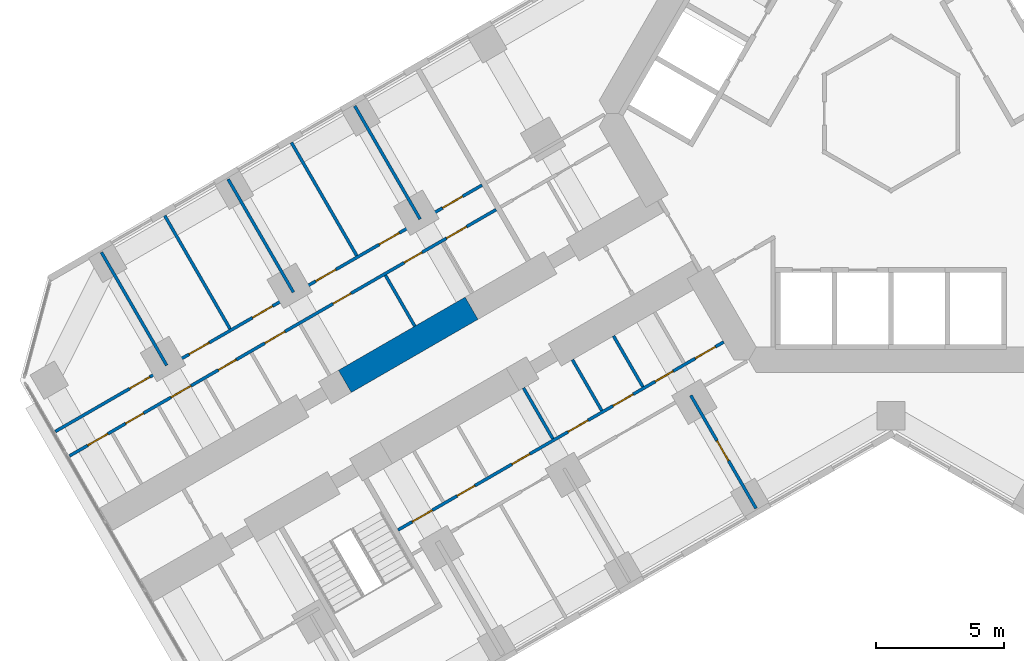
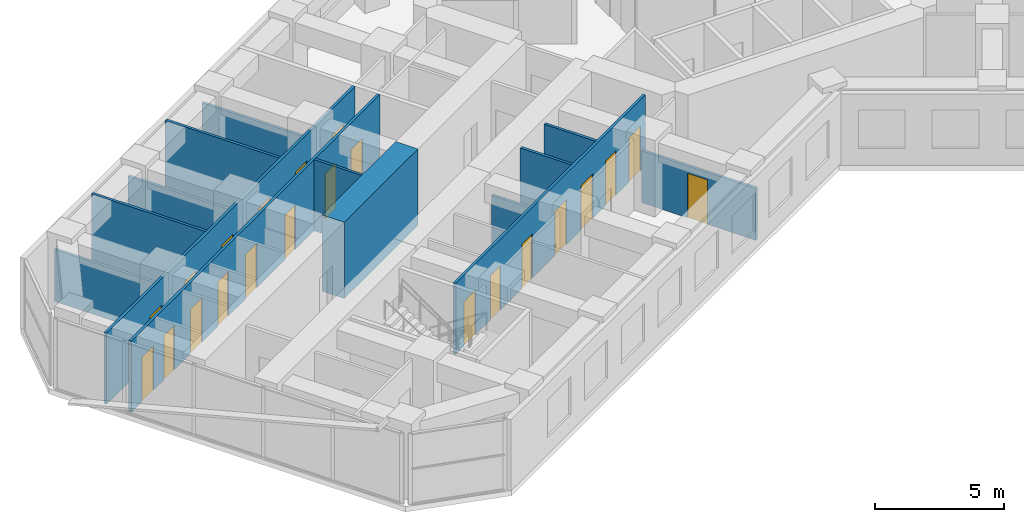
# One storey, part 11 of 21: 22 doors, 14 walls, 22 openings.
"""IFC4 building model written with IfcOpenShell, lengths in metres."""

from ifc_helpers import new_model, si_unit, direction, frame, frame_2d, origin, place, context, subcontext, project, spatial, rectangle, extrude, material, layer, layer_set, type_object, element, fill, save


model = new_model("IFC4")

# Units and contexts
model_context = context("Model", 3, precision=1e-05, world=origin(), true_north=direction((0.0, 1.0)))
body_context = subcontext(model_context, "Body", "Model", "MODEL_VIEW")
ifc_project = project(units=[si_unit("LENGTHUNIT", "METRE"), si_unit("AREAUNIT", "SQUARE_METRE"), si_unit("VOLUMEUNIT", "CUBIC_METRE"), si_unit("PLANEANGLEUNIT", "RADIAN"), si_unit("MASSUNIT", "GRAM", prefix="KILO")], contexts=[model_context])

# Site, building, storey
site_placement = place(None, origin())
site = spatial("IfcSite", under=ifc_project, at=site_placement, CompositionType="ELEMENT")
building_placement = place(site_placement, origin())
building = spatial("IfcBuilding", under=site, at=building_placement, Name="Kosmar Iwan School Tower", CompositionType="ELEMENT")
storey_placement = place(building_placement, frame((0.0, 0.0, 39.39990234375)))
storey = spatial("IfcBuildingStorey", under=building, at=storey_placement, Name="L08", CompositionType="ELEMENT", Elevation=39.39990234375)

# Wall
ifc_material_1 = material(Name="Concrete C50/60", Category="concrete")
ifc_layer_1 = layer(ifc_material_1, 1.0)
ifc_layer_set_1 = layer_set([ifc_layer_1], Name="Corridor buttress wall 1000")
wall_type_1 = type_object("IfcWallType", Name="Corridor buttress wall 1000", PredefinedType="SHEAR", material=ifc_layer_set_1)
wall_1_placement = place(storey_placement, frame((-16.34521484375, -7.58935546875, 0.0), z_axis=(0.0, 0.0, 1.0), x_axis=(-0.866015111908, -0.50001782563, 0.0)))
element("IfcWall", 1, at=wall_1_placement, inside=storey, type_object=wall_type_1, Name="Corridor wall BR bay 2", PredefinedType="SHEAR", context=body_context, shape_type="SweptSolid", body=[
    extrude(rectangle(XDim=5.699951171875, YDim=1.0, at=frame_2d((2.85009765625, 0.0))), origin(), (0.0, 0.0, 1.0), 3.60009765625),
])

# Wall, openings, doors
ifc_material_2 = material(Name="Gypsum board on steel studs", Category="steel")
ifc_layer_2 = layer(ifc_material_2, 0.1201171875)
ifc_layer_set_2 = layer_set([ifc_layer_2], Name="Dwelling partition 120")
wall_type_2 = type_object("IfcWallType", Name="Dwelling partition 120", PredefinedType="PARTITIONING", material=ifc_layer_set_2)
wall_2_placement = place(storey_placement, frame((-6.521728515625, -8.90380859375, 0.0), z_axis=(0.0, 0.0, 1.0), x_axis=(-0.866030734856, -0.4999907662, 0.0)))
wall_2 = element("IfcWall", 2, at=wall_2_placement, inside=storey, type_object=wall_type_2, Name="Partition L08-BL1-W1", PredefinedType="PARTITIONING", context=body_context, shape_type="SweptSolid", body=[
    extrude(rectangle(XDim=14.650146484375, YDim=0.1201171875, at=frame_2d((7.3251953125, 0.0))), origin(), (0.0, 0.0, 1.0), 3.35009765625),
])
opening_1_placement = place(wall_2_placement, frame((0.375, 0.0, 0.0)))
opening_1 = element("IfcOpeningElement", 3, at=opening_1_placement, cuts=wall_2, Name="Opening D2", PredefinedType="OPENING", context=body_context, shape_type="SweptSolid", body=[
    extrude(rectangle(XDim=0.89990234375, YDim=2.10009765625, at=frame_2d((0.449951171875, 1.050048828125))), frame((0.0, 0.072021484375, 0.0), z_axis=(0.0, -1.0, 0.0), x_axis=(1.0, 0.0, 0.0)), (0.0, 0.0, 1.0), 0.14404296875),
])
opening_2_placement = place(wall_2_placement, frame((2.27490234375, 0.0, 0.0)))
opening_2 = element("IfcOpeningElement", 4, at=opening_2_placement, cuts=wall_2, Name="Opening D3", PredefinedType="OPENING", context=body_context, shape_type="SweptSolid", body=[
    extrude(rectangle(XDim=0.800048828125, YDim=2.10009765625, at=frame_2d((0.39990234375, 1.050048828125))), frame((0.0, 0.072021484375, 0.0), z_axis=(0.0, -1.0, 0.0), x_axis=(1.0, 0.0, 0.0)), (0.0, 0.0, 1.0), 0.14404296875),
])
opening_3_placement = place(wall_2_placement, frame((4.074951171875, 0.0, 0.0)))
opening_3 = element("IfcOpeningElement", 5, at=opening_3_placement, cuts=wall_2, Name="Opening D2", PredefinedType="OPENING", context=body_context, shape_type="SweptSolid", body=[
    extrude(rectangle(XDim=0.89990234375, YDim=2.10009765625, at=frame_2d((0.449951171875, 1.050048828125))), frame((0.0, 0.072021484375, 0.0), z_axis=(0.0, -1.0, 0.0), x_axis=(1.0, 0.0, 0.0)), (0.0, 0.0, 1.0), 0.14404296875),
])
opening_4_placement = place(wall_2_placement, frame((6.10009765625, 0.0, 0.0)))
opening_4 = element("IfcOpeningElement", 6, at=opening_4_placement, cuts=wall_2, Name="Opening D2", PredefinedType="OPENING", context=body_context, shape_type="SweptSolid", body=[
    extrude(rectangle(XDim=0.89990234375, YDim=2.10009765625, at=frame_2d((0.449951171875, 1.050048828125))), frame((0.0, 0.072021484375, 0.0), z_axis=(0.0, -1.0, 0.0), x_axis=(1.0, 0.0, 0.0)), (0.0, 0.0, 1.0), 0.14404296875),
])
opening_5_placement = place(wall_2_placement, frame((8.728515625, 0.0, 0.0)))
opening_5 = element("IfcOpeningElement", 7, at=opening_5_placement, cuts=wall_2, Name="Opening D3", PredefinedType="OPENING", context=body_context, shape_type="SweptSolid", body=[
    extrude(rectangle(XDim=0.800048828125, YDim=2.10009765625, at=frame_2d((0.39990234375, 1.050048828125))), frame((0.0, 0.072021484375, 0.0), z_axis=(0.0, -1.0, 0.0), x_axis=(1.0, 0.0, 0.0)), (0.0, 0.0, 1.0), 0.14404296875),
])
opening_6_placement = place(wall_2_placement, frame((11.19287109375, 0.0, 0.0)))
opening_6 = element("IfcOpeningElement", 8, at=opening_6_placement, cuts=wall_2, Name="Opening D3", PredefinedType="OPENING", context=body_context, shape_type="SweptSolid", body=[
    extrude(rectangle(XDim=0.800048828125, YDim=2.10009765625, at=frame_2d((0.39990234375, 1.050048828125))), frame((0.0, 0.072021484375, 0.0), z_axis=(0.0, -1.0, 0.0), x_axis=(1.0, 0.0, 0.0)), (0.0, 0.0, 1.0), 0.14404296875),
])
opening_7_placement = place(wall_2_placement, frame((13.1142578125, 0.0, 0.0)))
opening_7 = element("IfcOpeningElement", 9, at=opening_7_placement, cuts=wall_2, Name="Opening D2", PredefinedType="OPENING", context=body_context, shape_type="SweptSolid", body=[
    extrude(rectangle(XDim=0.89990234375, YDim=2.10009765625, at=frame_2d((0.449951171875, 1.050048828125))), frame((0.0, 0.072021484375, 0.0), z_axis=(0.0, -1.0, 0.0), x_axis=(1.0, 0.0, 0.0)), (0.0, 0.0, 1.0), 0.14404296875),
])
ifc_material_3 = material(Name="Timber door in timber frame", Category="wood")
door_type_1 = type_object("IfcDoorType", Name="Internal door 900x2100", OperationType="SINGLE_SWING_LEFT", PredefinedType="DOOR", material=ifc_material_3)
door_1_placement = place(opening_1_placement, origin())
door_1 = element("IfcDoor", 10, at=door_1_placement, inside=storey, type_object=door_type_1, Name="Dressing room door L08-BL1-S1", OperationType="SINGLE_SWING_LEFT", OverallHeight=2.10009765625, OverallWidth=0.89990234375, PredefinedType="DOOR", context=body_context, shape_type="SweptSolid", body=[
    extrude(rectangle(XDim=0.89990234375, YDim=2.10009765625, at=frame_2d((0.449951171875, 1.050048828125))), frame((0.0, 0.02490234375, 0.0), z_axis=(0.0, -1.0, 0.0), x_axis=(1.0, 0.0, 0.0)), (0.0, 0.0, 1.0), 0.050048828125),
])
fill(opening_1, door_1)
door_2_placement = place(opening_3_placement, origin())
door_2 = element("IfcDoor", 11, at=door_2_placement, inside=storey, type_object=door_type_1, Name="Pantry door L08-BL1-S3", OperationType="SINGLE_SWING_LEFT", OverallHeight=2.10009765625, OverallWidth=0.89990234375, PredefinedType="DOOR", context=body_context, shape_type="SweptSolid", body=[
    extrude(rectangle(XDim=0.89990234375, YDim=2.10009765625, at=frame_2d((0.449951171875, 1.050048828125))), frame((0.0, 0.02490234375, 0.0), z_axis=(0.0, -1.0, 0.0), x_axis=(1.0, 0.0, 0.0)), (0.0, 0.0, 1.0), 0.050048828125),
])
fill(opening_3, door_2)
door_3_placement = place(opening_4_placement, origin())
door_3 = element("IfcDoor", 12, at=door_3_placement, inside=storey, type_object=door_type_1, Name="Entrance hall door L08-BL1-S4", OperationType="SINGLE_SWING_LEFT", OverallHeight=2.10009765625, OverallWidth=0.89990234375, PredefinedType="DOOR", context=body_context, shape_type="SweptSolid", body=[
    extrude(rectangle(XDim=0.89990234375, YDim=2.10009765625, at=frame_2d((0.449951171875, 1.050048828125))), frame((0.0, 0.02490234375, 0.0), z_axis=(0.0, -1.0, 0.0), x_axis=(1.0, 0.0, 0.0)), (0.0, 0.0, 1.0), 0.050048828125),
])
fill(opening_4, door_3)
door_4_placement = place(opening_7_placement, frame((0.89990234375, 0.0, 0.0), z_axis=(0.0, 0.0, 1.0), x_axis=(-1.0, 0.0, 0.0)))
door_4 = element("IfcDoor", 13, at=door_4_placement, inside=storey, type_object=door_type_1, Name="Utility room door L08-BL1-S7", OperationType="SINGLE_SWING_LEFT", OverallHeight=2.10009765625, OverallWidth=0.89990234375, PredefinedType="DOOR", context=body_context, shape_type="SweptSolid", body=[
    extrude(rectangle(XDim=0.89990234375, YDim=2.10009765625, at=frame_2d((0.449951171875, 1.050048828125))), frame((0.0, 0.02490234375, 0.0), z_axis=(0.0, -1.0, 0.0), x_axis=(1.0, 0.0, 0.0)), (0.0, 0.0, 1.0), 0.050048828125),
])
fill(opening_7, door_4)
ifc_material_4 = material(Name="Timber door in timber frame", Category="wood")
door_type_2 = type_object("IfcDoorType", Name="Sanitary room door 800x2100", OperationType="SINGLE_SWING_LEFT", PredefinedType="DOOR", material=ifc_material_4)
door_5_placement = place(opening_2_placement, origin())
door_5 = element("IfcDoor", 14, at=door_5_placement, inside=storey, type_object=door_type_2, Name="Store door L08-BL1-S2", OperationType="SINGLE_SWING_RIGHT", OverallHeight=2.10009765625, OverallWidth=0.800048828125, PredefinedType="DOOR", context=body_context, shape_type="SweptSolid", body=[
    extrude(rectangle(XDim=0.800048828125, YDim=2.10009765625, at=frame_2d((0.39990234375, 1.050048828125))), frame((0.0, 0.02490234375, 0.0), z_axis=(0.0, -1.0, 0.0), x_axis=(1.0, 0.0, 0.0)), (0.0, 0.0, 1.0), 0.050048828125),
])
fill(opening_2, door_5)
door_6_placement = place(opening_5_placement, origin())
door_6 = element("IfcDoor", 15, at=door_6_placement, inside=storey, type_object=door_type_2, Name="Bathroom door L08-BL1-S5", OperationType="SINGLE_SWING_RIGHT", OverallHeight=2.10009765625, OverallWidth=0.800048828125, PredefinedType="DOOR", context=body_context, shape_type="SweptSolid", body=[
    extrude(rectangle(XDim=0.800048828125, YDim=2.10009765625, at=frame_2d((0.39990234375, 1.050048828125))), frame((0.0, 0.02490234375, 0.0), z_axis=(0.0, -1.0, 0.0), x_axis=(1.0, 0.0, 0.0)), (0.0, 0.0, 1.0), 0.050048828125),
])
fill(opening_5, door_6)
door_7_placement = place(opening_6_placement, origin())
door_7 = element("IfcDoor", 16, at=door_7_placement, inside=storey, type_object=door_type_2, Name="WC door L08-BL1-S6", OperationType="SINGLE_SWING_RIGHT", OverallHeight=2.10009765625, OverallWidth=0.800048828125, PredefinedType="DOOR", context=body_context, shape_type="SweptSolid", body=[
    extrude(rectangle(XDim=0.800048828125, YDim=2.10009765625, at=frame_2d((0.39990234375, 1.050048828125))), frame((0.0, 0.02490234375, 0.0), z_axis=(0.0, -1.0, 0.0), x_axis=(1.0, 0.0, 0.0)), (0.0, 0.0, 1.0), 0.050048828125),
])
fill(opening_6, door_7)

# Wall, opening, door
wall_3_placement = place(storey_placement, frame((-7.8037109375, -10.9833984375, 0.0), z_axis=(0.0, 0.0, 1.0), x_axis=(0.499997873537, -0.866026631495, 0.0)))
wall_3 = element("IfcWall", 17, at=wall_3_placement, inside=storey, type_object=wall_type_2, Name="Partition L08-BL1-X1", PredefinedType="PARTITIONING", context=body_context, shape_type="SweptSolid", body=[
    extrude(rectangle(XDim=5.08984375, YDim=0.1201171875, at=frame_2d((2.544921875, 0.0))), origin(), (0.0, 0.0, 1.0), 2.4501953125),
])
opening_8_placement = place(wall_3_placement, frame((2.0400390625, 0.0, 0.0)))
opening_8 = element("IfcOpeningElement", 18, at=opening_8_placement, cuts=wall_3, Name="Opening D2", PredefinedType="OPENING", context=body_context, shape_type="SweptSolid", body=[
    extrude(rectangle(XDim=0.89990234375, YDim=2.10009765625, at=frame_2d((0.449951171875, 1.050048828125))), frame((0.0, 0.072021484375, 0.0), z_axis=(0.0, -1.0, 0.0), x_axis=(1.0, 0.0, 0.0)), (0.0, 0.0, 1.0), 0.14404296875),
])
door_8_placement = place(opening_8_placement, origin())
door_8 = element("IfcDoor", 19, at=door_8_placement, inside=storey, type_object=door_type_1, Name="Kitchen and dining room door L08-BL1-F1", OperationType="SINGLE_SWING_LEFT", OverallHeight=2.10009765625, OverallWidth=0.89990234375, PredefinedType="DOOR", context=body_context, shape_type="SweptSolid", body=[
    extrude(rectangle(XDim=0.89990234375, YDim=2.10009765625, at=frame_2d((0.449951171875, 1.050048828125))), frame((0.0, 0.02490234375, 0.0), z_axis=(0.0, -1.0, 0.0), x_axis=(1.0, 0.0, 0.0)), (0.0, 0.0, 1.0), 0.050048828125),
])
fill(opening_8, door_8)

# Walls
for number, where, z_axis, x_axis, name in (
    (20, (-10.814453125, -8.668701171875, 0.0), (0.0, 0.0, 1.0), (0.500014693593, -0.866016920268, 0.0), "Partition L08-BL1-Y2"),
    (21, (-12.416748046875, -9.59375, 0.0), (0.0, 0.0, 1.0), (0.500014693593, -0.866016920268, 0.0), "Partition L08-BL1-Y3"),
):
    element("IfcWall", number, at=place(storey_placement, frame(where, z_axis=z_axis, x_axis=x_axis)), inside=storey, type_object=wall_type_2, Name=name, PredefinedType="PARTITIONING", context=body_context, shape_type="SweptSolid", body=[
        extrude(rectangle(XDim=2.2900390625, YDim=0.1201171875, at=frame_2d((1.14501953125, 0.0))), origin(), (0.0, 0.0, 1.0), 3.35009765625),
    ])
wall_4_placement = place(storey_placement, frame((-14.322021484375, -10.693603515625, 0.0), z_axis=(0.0, 0.0, 1.0), x_axis=(0.500014693593, -0.866016920268, 0.0)))
element("IfcWall", 22, at=wall_4_placement, inside=storey, type_object=wall_type_2, Name="Partition L08-BL1-Y4", PredefinedType="PARTITIONING", context=body_context, shape_type="SweptSolid", body=[
    extrude(rectangle(XDim=2.2900390625, YDim=0.1201171875, at=frame_2d((1.14501953125, 0.0))), origin(), (0.0, 0.0, 1.0), 2.4501953125),
])

# Wall, openings, doors
wall_5_placement = place(storey_placement, frame((-15.388671875, -3.74609375, 0.0), z_axis=(0.0, 0.0, 1.0), x_axis=(-0.866021011428, -0.500007607708, 0.0)))
wall_5 = element("IfcWall", 23, at=wall_5_placement, inside=storey, type_object=wall_type_2, Name="Partition L08-BR2-W1", PredefinedType="PARTITIONING", context=body_context, shape_type="SweptSolid", body=[
    extrude(rectangle(XDim=19.195068359375, YDim=0.1201171875, at=frame_2d((9.59765625, 0.0))), origin(), (0.0, 0.0, 1.0), 3.35009765625),
])
opening_9_placement = place(wall_5_placement, frame((1.32861328125, 0.0, 0.0)))
opening_9 = element("IfcOpeningElement", 24, at=opening_9_placement, cuts=wall_5, Name="Opening D2", PredefinedType="OPENING", context=body_context, shape_type="SweptSolid", body=[
    extrude(rectangle(XDim=0.89990234375, YDim=2.10009765625, at=frame_2d((0.449951171875, 1.050048828125))), frame((0.0, 0.072021484375, 0.0), z_axis=(0.0, -1.0, 0.0), x_axis=(1.0, 0.0, 0.0)), (0.0, 0.0, 1.0), 0.14404296875),
])
opening_10_placement = place(wall_5_placement, frame((3.335693359375, 0.0, 0.0)))
opening_10 = element("IfcOpeningElement", 25, at=opening_10_placement, cuts=wall_5, Name="Opening D3", PredefinedType="OPENING", context=body_context, shape_type="SweptSolid", body=[
    extrude(rectangle(XDim=0.800048828125, YDim=2.10009765625, at=frame_2d((0.39990234375, 1.050048828125))), frame((0.0, 0.072021484375, 0.0), z_axis=(0.0, -1.0, 0.0), x_axis=(1.0, 0.0, 0.0)), (0.0, 0.0, 1.0), 0.14404296875),
])
opening_11_placement = place(wall_5_placement, frame((6.5322265625, 0.0, 0.0)))
opening_11 = element("IfcOpeningElement", 26, at=opening_11_placement, cuts=wall_5, Name="Opening D3", PredefinedType="OPENING", context=body_context, shape_type="SweptSolid", body=[
    extrude(rectangle(XDim=0.800048828125, YDim=2.10009765625, at=frame_2d((0.39990234375, 1.050048828125))), frame((0.0, 0.072021484375, 0.0), z_axis=(0.0, -1.0, 0.0), x_axis=(1.0, 0.0, 0.0)), (0.0, 0.0, 1.0), 0.14404296875),
])
opening_12_placement = place(wall_5_placement, frame((9.5, 0.0, 0.0)))
opening_12 = element("IfcOpeningElement", 27, at=opening_12_placement, cuts=wall_5, Name="Opening D2", PredefinedType="OPENING", context=body_context, shape_type="SweptSolid", body=[
    extrude(rectangle(XDim=0.89990234375, YDim=2.10009765625, at=frame_2d((0.449951171875, 1.050048828125))), frame((0.0, 0.072021484375, 0.0), z_axis=(0.0, -1.0, 0.0), x_axis=(1.0, 0.0, 0.0)), (0.0, 0.0, 1.0), 0.14404296875),
])
opening_13_placement = place(wall_5_placement, frame((11.69384765625, 0.0, 0.0)))
opening_13 = element("IfcOpeningElement", 28, at=opening_13_placement, cuts=wall_5, Name="Opening D3", PredefinedType="OPENING", context=body_context, shape_type="SweptSolid", body=[
    extrude(rectangle(XDim=0.800048828125, YDim=2.10009765625, at=frame_2d((0.39990234375, 1.050048828125))), frame((0.0, 0.072021484375, 0.0), z_axis=(0.0, -1.0, 0.0), x_axis=(1.0, 0.0, 0.0)), (0.0, 0.0, 1.0), 0.14404296875),
])
opening_14_placement = place(wall_5_placement, frame((13.731201171875, 0.0, 0.0)))
opening_14 = element("IfcOpeningElement", 29, at=opening_14_placement, cuts=wall_5, Name="Opening D2", PredefinedType="OPENING", context=body_context, shape_type="SweptSolid", body=[
    extrude(rectangle(XDim=0.89990234375, YDim=2.10009765625, at=frame_2d((0.449951171875, 1.050048828125))), frame((0.0, 0.072021484375, 0.0), z_axis=(0.0, -1.0, 0.0), x_axis=(1.0, 0.0, 0.0)), (0.0, 0.0, 1.0), 0.14404296875),
])
opening_15_placement = place(wall_5_placement, frame((15.86865234375, 0.0, 0.0)))
opening_15 = element("IfcOpeningElement", 30, at=opening_15_placement, cuts=wall_5, Name="Opening D3", PredefinedType="OPENING", context=body_context, shape_type="SweptSolid", body=[
    extrude(rectangle(XDim=0.800048828125, YDim=2.10009765625, at=frame_2d((0.39990234375, 1.050048828125))), frame((0.0, 0.072021484375, 0.0), z_axis=(0.0, -1.0, 0.0), x_axis=(1.0, 0.0, 0.0)), (0.0, 0.0, 1.0), 0.14404296875),
])
opening_16_placement = place(wall_5_placement, frame((17.472412109375, 0.0, 0.0)))
opening_16 = element("IfcOpeningElement", 31, at=opening_16_placement, cuts=wall_5, Name="Opening D2", PredefinedType="OPENING", context=body_context, shape_type="SweptSolid", body=[
    extrude(rectangle(XDim=0.89990234375, YDim=2.10009765625, at=frame_2d((0.449951171875, 1.050048828125))), frame((0.0, 0.072021484375, 0.0), z_axis=(0.0, -1.0, 0.0), x_axis=(1.0, 0.0, 0.0)), (0.0, 0.0, 1.0), 0.14404296875),
])
door_9_placement = place(opening_9_placement, origin())
door_9 = element("IfcDoor", 32, at=door_9_placement, inside=storey, type_object=door_type_1, Name="Utility room door L08-BR2-S1", OperationType="SINGLE_SWING_RIGHT", OverallHeight=2.10009765625, OverallWidth=0.89990234375, PredefinedType="DOOR", context=body_context, shape_type="SweptSolid", body=[
    extrude(rectangle(XDim=0.89990234375, YDim=2.10009765625, at=frame_2d((0.449951171875, 1.050048828125))), frame((0.0, 0.02490234375, 0.0), z_axis=(0.0, -1.0, 0.0), x_axis=(1.0, 0.0, 0.0)), (0.0, 0.0, 1.0), 0.050048828125),
])
fill(opening_9, door_9)
door_10_placement = place(opening_12_placement, origin())
door_10 = element("IfcDoor", 33, at=door_10_placement, inside=storey, type_object=door_type_1, Name="Entrance hall door L08-BR2-S4", OperationType="SINGLE_SWING_LEFT", OverallHeight=2.10009765625, OverallWidth=0.89990234375, PredefinedType="DOOR", context=body_context, shape_type="SweptSolid", body=[
    extrude(rectangle(XDim=0.89990234375, YDim=2.10009765625, at=frame_2d((0.449951171875, 1.050048828125))), frame((0.0, 0.02490234375, 0.0), z_axis=(0.0, -1.0, 0.0), x_axis=(1.0, 0.0, 0.0)), (0.0, 0.0, 1.0), 0.050048828125),
])
fill(opening_12, door_10)
door_11_placement = place(opening_14_placement, origin())
door_11 = element("IfcDoor", 34, at=door_11_placement, inside=storey, type_object=door_type_1, Name="Pantry door L08-BR2-S6", OperationType="SINGLE_SWING_LEFT", OverallHeight=2.10009765625, OverallWidth=0.89990234375, PredefinedType="DOOR", context=body_context, shape_type="SweptSolid", body=[
    extrude(rectangle(XDim=0.89990234375, YDim=2.10009765625, at=frame_2d((0.449951171875, 1.050048828125))), frame((0.0, 0.02490234375, 0.0), z_axis=(0.0, -1.0, 0.0), x_axis=(1.0, 0.0, 0.0)), (0.0, 0.0, 1.0), 0.050048828125),
])
fill(opening_14, door_11)
door_12_placement = place(opening_16_placement, origin())
door_12 = element("IfcDoor", 35, at=door_12_placement, inside=storey, type_object=door_type_1, Name="Dressing room door L08-BR2-S8", OperationType="SINGLE_SWING_LEFT", OverallHeight=2.10009765625, OverallWidth=0.89990234375, PredefinedType="DOOR", context=body_context, shape_type="SweptSolid", body=[
    extrude(rectangle(XDim=0.89990234375, YDim=2.10009765625, at=frame_2d((0.449951171875, 1.050048828125))), frame((0.0, 0.02490234375, 0.0), z_axis=(0.0, -1.0, 0.0), x_axis=(1.0, 0.0, 0.0)), (0.0, 0.0, 1.0), 0.050048828125),
])
fill(opening_16, door_12)
door_13_placement = place(opening_10_placement, origin())
door_13 = element("IfcDoor", 36, at=door_13_placement, inside=storey, type_object=door_type_2, Name="WC door L08-BR2-S2", OperationType="SINGLE_SWING_LEFT", OverallHeight=2.10009765625, OverallWidth=0.800048828125, PredefinedType="DOOR", context=body_context, shape_type="SweptSolid", body=[
    extrude(rectangle(XDim=0.800048828125, YDim=2.10009765625, at=frame_2d((0.39990234375, 1.050048828125))), frame((0.0, 0.02490234375, 0.0), z_axis=(0.0, -1.0, 0.0), x_axis=(1.0, 0.0, 0.0)), (0.0, 0.0, 1.0), 0.050048828125),
])
fill(opening_10, door_13)
door_14_placement = place(opening_11_placement, origin())
door_14 = element("IfcDoor", 37, at=door_14_placement, inside=storey, type_object=door_type_2, Name="Bathroom door L08-BR2-S3", OperationType="SINGLE_SWING_RIGHT", OverallHeight=2.10009765625, OverallWidth=0.800048828125, PredefinedType="DOOR", context=body_context, shape_type="SweptSolid", body=[
    extrude(rectangle(XDim=0.800048828125, YDim=2.10009765625, at=frame_2d((0.39990234375, 1.050048828125))), frame((0.0, 0.02490234375, 0.0), z_axis=(0.0, -1.0, 0.0), x_axis=(1.0, 0.0, 0.0)), (0.0, 0.0, 1.0), 0.050048828125),
])
fill(opening_11, door_14)
door_15_placement = place(opening_13_placement, origin())
door_15 = element("IfcDoor", 38, at=door_15_placement, inside=storey, type_object=door_type_2, Name="Shower room door L08-BR2-S5", OperationType="SINGLE_SWING_RIGHT", OverallHeight=2.10009765625, OverallWidth=0.800048828125, PredefinedType="DOOR", context=body_context, shape_type="SweptSolid", body=[
    extrude(rectangle(XDim=0.800048828125, YDim=2.10009765625, at=frame_2d((0.39990234375, 1.050048828125))), frame((0.0, 0.02490234375, 0.0), z_axis=(0.0, -1.0, 0.0), x_axis=(1.0, 0.0, 0.0)), (0.0, 0.0, 1.0), 0.050048828125),
])
fill(opening_13, door_15)
door_16_placement = place(opening_15_placement, origin())
door_16 = element("IfcDoor", 39, at=door_16_placement, inside=storey, type_object=door_type_2, Name="Store door L08-BR2-S7", OperationType="SINGLE_SWING_RIGHT", OverallHeight=2.10009765625, OverallWidth=0.800048828125, PredefinedType="DOOR", context=body_context, shape_type="SweptSolid", body=[
    extrude(rectangle(XDim=0.800048828125, YDim=2.10009765625, at=frame_2d((0.39990234375, 1.050048828125))), frame((0.0, 0.02490234375, 0.0), z_axis=(0.0, -1.0, 0.0), x_axis=(1.0, 0.0, 0.0)), (0.0, 0.0, 1.0), 0.050048828125),
])
fill(opening_15, door_16)

wall_6_placement = place(storey_placement, frame((-15.9384765625, -2.79345703125, 0.0), z_axis=(0.0, 0.0, 1.0), x_axis=(-0.866024191211, -0.500002100233, 0.0)))
wall_6 = element("IfcWall", 40, at=wall_6_placement, inside=storey, type_object=wall_type_2, Name="Partition L08-BR2-W2", PredefinedType="PARTITIONING", context=body_context, shape_type="SweptSolid", body=[
    extrude(rectangle(XDim=19.1953125, YDim=0.1201171875, at=frame_2d((9.59765625, 0.0))), origin(), (0.0, 0.0, 1.0), 3.35009765625),
])
opening_17_placement = place(wall_6_placement, frame((0.875, 0.0, 0.0)))
opening_17 = element("IfcOpeningElement", 41, at=opening_17_placement, cuts=wall_6, Name="Opening D2", PredefinedType="OPENING", context=body_context, shape_type="SweptSolid", body=[
    extrude(rectangle(XDim=0.89990234375, YDim=2.10009765625, at=frame_2d((0.449951171875, 1.050048828125))), frame((0.0, 0.072021484375, 0.0), z_axis=(0.0, -1.0, 0.0), x_axis=(1.0, 0.0, 0.0)), (0.0, 0.0, 1.0), 0.14404296875),
])
opening_18_placement = place(wall_6_placement, frame((3.72509765625, 0.0, 0.0)))
opening_18 = element("IfcOpeningElement", 42, at=opening_18_placement, cuts=wall_6, Name="Opening D2", PredefinedType="OPENING", context=body_context, shape_type="SweptSolid", body=[
    extrude(rectangle(XDim=0.89990234375, YDim=2.10009765625, at=frame_2d((0.449951171875, 1.050048828125))), frame((0.0, 0.072021484375, 0.0), z_axis=(0.0, -1.0, 0.0), x_axis=(1.0, 0.0, 0.0)), (0.0, 0.0, 1.0), 0.14404296875),
])
opening_19_placement = place(wall_6_placement, frame((6.574951171875, 0.0, 0.0)))
opening_19 = element("IfcOpeningElement", 43, at=opening_19_placement, cuts=wall_6, Name="Opening D2", PredefinedType="OPENING", context=body_context, shape_type="SweptSolid", body=[
    extrude(rectangle(XDim=0.89990234375, YDim=2.10009765625, at=frame_2d((0.449951171875, 1.050048828125))), frame((0.0, 0.072021484375, 0.0), z_axis=(0.0, -1.0, 0.0), x_axis=(1.0, 0.0, 0.0)), (0.0, 0.0, 1.0), 0.14404296875),
])
opening_20_placement = place(wall_6_placement, frame((9.425048828125, 0.0, 0.0)))
opening_20 = element("IfcOpeningElement", 44, at=opening_20_placement, cuts=wall_6, Name="Opening D2", PredefinedType="OPENING", context=body_context, shape_type="SweptSolid", body=[
    extrude(rectangle(XDim=0.89990234375, YDim=2.10009765625, at=frame_2d((0.449951171875, 1.050048828125))), frame((0.0, 0.072021484375, 0.0), z_axis=(0.0, -1.0, 0.0), x_axis=(1.0, 0.0, 0.0)), (0.0, 0.0, 1.0), 0.14404296875),
])
opening_21_placement = place(wall_6_placement, frame((12.27490234375, 0.0, 0.0)))
opening_21 = element("IfcOpeningElement", 45, at=opening_21_placement, cuts=wall_6, Name="Opening D2", PredefinedType="OPENING", context=body_context, shape_type="SweptSolid", body=[
    extrude(rectangle(XDim=0.89990234375, YDim=2.10009765625, at=frame_2d((0.449951171875, 1.050048828125))), frame((0.0, 0.072021484375, 0.0), z_axis=(0.0, -1.0, 0.0), x_axis=(1.0, 0.0, 0.0)), (0.0, 0.0, 1.0), 0.14404296875),
])
opening_22_placement = place(wall_6_placement, frame((14.949951171875, 0.0, 0.0)))
opening_22 = element("IfcOpeningElement", 46, at=opening_22_placement, cuts=wall_6, Name="Opening D2", PredefinedType="OPENING", context=body_context, shape_type="SweptSolid", body=[
    extrude(rectangle(XDim=0.89990234375, YDim=2.10009765625, at=frame_2d((0.449951171875, 1.050048828125))), frame((0.0, 0.072021484375, 0.0), z_axis=(0.0, -1.0, 0.0), x_axis=(1.0, 0.0, 0.0)), (0.0, 0.0, 1.0), 0.14404296875),
])
door_17_placement = place(opening_17_placement, origin())
door_17 = element("IfcDoor", 47, at=door_17_placement, inside=storey, type_object=door_type_1, Name="Bedroom 1 door L08-BR2-F1", OperationType="SINGLE_SWING_LEFT", OverallHeight=2.10009765625, OverallWidth=0.89990234375, PredefinedType="DOOR", context=body_context, shape_type="SweptSolid", body=[
    extrude(rectangle(XDim=0.89990234375, YDim=2.10009765625, at=frame_2d((0.449951171875, 1.050048828125))), frame((0.0, 0.02490234375, 0.0), z_axis=(0.0, -1.0, 0.0), x_axis=(1.0, 0.0, 0.0)), (0.0, 0.0, 1.0), 0.050048828125),
])
fill(opening_17, door_17)
door_18_placement = place(opening_18_placement, origin())
door_18 = element("IfcDoor", 48, at=door_18_placement, inside=storey, type_object=door_type_1, Name="Bedroom 2 door L08-BR2-F2", OperationType="SINGLE_SWING_LEFT", OverallHeight=2.10009765625, OverallWidth=0.89990234375, PredefinedType="DOOR", context=body_context, shape_type="SweptSolid", body=[
    extrude(rectangle(XDim=0.89990234375, YDim=2.10009765625, at=frame_2d((0.449951171875, 1.050048828125))), frame((0.0, 0.02490234375, 0.0), z_axis=(0.0, -1.0, 0.0), x_axis=(1.0, 0.0, 0.0)), (0.0, 0.0, 1.0), 0.050048828125),
])
fill(opening_18, door_18)
door_19_placement = place(opening_19_placement, origin())
door_19 = element("IfcDoor", 49, at=door_19_placement, inside=storey, type_object=door_type_1, Name="Study door L08-BR2-F3", OperationType="SINGLE_SWING_LEFT", OverallHeight=2.10009765625, OverallWidth=0.89990234375, PredefinedType="DOOR", context=body_context, shape_type="SweptSolid", body=[
    extrude(rectangle(XDim=0.89990234375, YDim=2.10009765625, at=frame_2d((0.449951171875, 1.050048828125))), frame((0.0, 0.02490234375, 0.0), z_axis=(0.0, -1.0, 0.0), x_axis=(1.0, 0.0, 0.0)), (0.0, 0.0, 1.0), 0.050048828125),
])
fill(opening_19, door_19)
door_20_placement = place(opening_20_placement, origin())
door_20 = element("IfcDoor", 50, at=door_20_placement, inside=storey, type_object=door_type_1, Name="Bedroom 3 door L08-BR2-F4", OperationType="SINGLE_SWING_RIGHT", OverallHeight=2.10009765625, OverallWidth=0.89990234375, PredefinedType="DOOR", context=body_context, shape_type="SweptSolid", body=[
    extrude(rectangle(XDim=0.89990234375, YDim=2.10009765625, at=frame_2d((0.449951171875, 1.050048828125))), frame((0.0, 0.02490234375, 0.0), z_axis=(0.0, -1.0, 0.0), x_axis=(1.0, 0.0, 0.0)), (0.0, 0.0, 1.0), 0.050048828125),
])
fill(opening_20, door_20)
door_21_placement = place(opening_21_placement, origin())
door_21 = element("IfcDoor", 51, at=door_21_placement, inside=storey, type_object=door_type_1, Name="Bedroom 4 door L08-BR2-F5", OperationType="SINGLE_SWING_RIGHT", OverallHeight=2.10009765625, OverallWidth=0.89990234375, PredefinedType="DOOR", context=body_context, shape_type="SweptSolid", body=[
    extrude(rectangle(XDim=0.89990234375, YDim=2.10009765625, at=frame_2d((0.449951171875, 1.050048828125))), frame((0.0, 0.02490234375, 0.0), z_axis=(0.0, -1.0, 0.0), x_axis=(1.0, 0.0, 0.0)), (0.0, 0.0, 1.0), 0.050048828125),
])
fill(opening_21, door_21)
door_22_placement = place(opening_22_placement, origin())
door_22 = element("IfcDoor", 52, at=door_22_placement, inside=storey, type_object=door_type_1, Name="Living room and kitchen door L08-BR2-F6", OperationType="SINGLE_SWING_RIGHT", OverallHeight=2.10009765625, OverallWidth=0.89990234375, PredefinedType="DOOR", context=body_context, shape_type="SweptSolid", body=[
    extrude(rectangle(XDim=0.89990234375, YDim=2.10009765625, at=frame_2d((0.449951171875, 1.050048828125))), frame((0.0, 0.02490234375, 0.0), z_axis=(0.0, -1.0, 0.0), x_axis=(1.0, 0.0, 0.0)), (0.0, 0.0, 1.0), 0.050048828125),
])
fill(opening_22, door_22)

# Walls
wall_7_placement = place(storey_placement, frame((-18.35009765625, -4.11669921875, 0.0), z_axis=(0.0, 0.0, 1.0), x_axis=(-0.500013077246, 0.866017853501, 0.0)))
element("IfcWall", 53, at=wall_7_placement, inside=storey, type_object=wall_type_2, Name="Partition L08-BR2-X1", PredefinedType="PARTITIONING", context=body_context, shape_type="SweptSolid", body=[
    extrude(rectangle(XDim=5.090087890625, YDim=0.1201171875, at=frame_2d((2.544921875, 0.0))), origin(), (0.0, 0.0, 1.0), 2.4501953125),
])
wall_8_placement = place(storey_placement, frame((-20.818359375, -5.54150390625, 0.0), z_axis=(0.0, 0.0, 1.0), x_axis=(-0.499997873537, 0.866026631495, 0.0)))
element("IfcWall", 54, at=wall_8_placement, inside=storey, type_object=wall_type_2, Name="Partition L08-BR2-X2", PredefinedType="PARTITIONING", context=body_context, shape_type="SweptSolid", body=[
    extrude(rectangle(XDim=5.08984375, YDim=0.1201171875, at=frame_2d((2.544921875, 0.0))), origin(), (0.0, 0.0, 1.0), 3.35009765625),
])
wall_9_placement = place(storey_placement, frame((-23.28662109375, -6.966552734375, 0.0), z_axis=(0.0, 0.0, 1.0), x_axis=(-0.499997873537, 0.866026631495, 0.0)))
element("IfcWall", 55, at=wall_9_placement, inside=storey, type_object=wall_type_2, Name="Partition L08-BR2-X3", PredefinedType="PARTITIONING", context=body_context, shape_type="SweptSolid", body=[
    extrude(rectangle(XDim=5.08984375, YDim=0.1201171875, at=frame_2d((2.544921875, 0.0))), origin(), (0.0, 0.0, 1.0), 2.4501953125),
])
wall_10_placement = place(storey_placement, frame((-25.754638671875, -8.3916015625, 0.0), z_axis=(0.0, 0.0, 1.0), x_axis=(-0.499977104415, 0.866038622153, 0.0)))
element("IfcWall", 56, at=wall_10_placement, inside=storey, type_object=wall_type_2, Name="Partition L08-BR2-X4", PredefinedType="PARTITIONING", context=body_context, shape_type="SweptSolid", body=[
    extrude(rectangle(XDim=5.090087890625, YDim=0.1201171875, at=frame_2d((2.544921875, 0.0))), origin(), (0.0, 0.0, 1.0), 3.35009765625),
])
wall_11_placement = place(storey_placement, frame((-28.222900390625, -9.816650390625, 0.0), z_axis=(0.0, 0.0, 1.0), x_axis=(-0.499977104415, 0.866038622153, 0.0)))
element("IfcWall", 57, at=wall_11_placement, inside=storey, type_object=wall_type_2, Name="Partition L08-BR2-X5", PredefinedType="PARTITIONING", context=body_context, shape_type="SweptSolid", body=[
    extrude(rectangle(XDim=5.090087890625, YDim=0.1201171875, at=frame_2d((2.544921875, 0.0))), origin(), (0.0, 0.0, 1.0), 2.4501953125),
])
wall_12_placement = place(storey_placement, frame((-18.55615234375, -8.28857421875, 0.0), z_axis=(0.0, 0.0, 1.0), x_axis=(-0.499968531483, 0.866043571379, 0.0)))
element("IfcWall", 58, at=wall_12_placement, inside=storey, type_object=wall_type_2, Name="Partition L08-BR2-Y2", PredefinedType="PARTITIONING", context=body_context, shape_type="SweptSolid", body=[
    extrude(rectangle(XDim=2.290283203125, YDim=0.1201171875, at=frame_2d((1.14501953125, 0.0))), origin(), (0.0, 0.0, 1.0), 3.35009765625),
])

save(model, "model.ifc")
